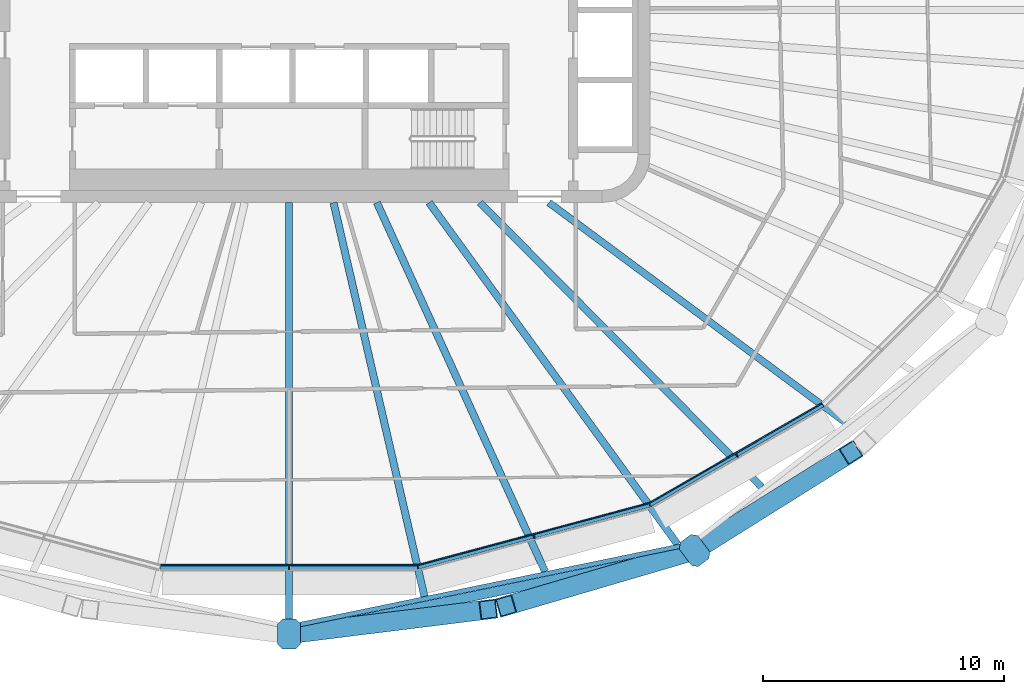
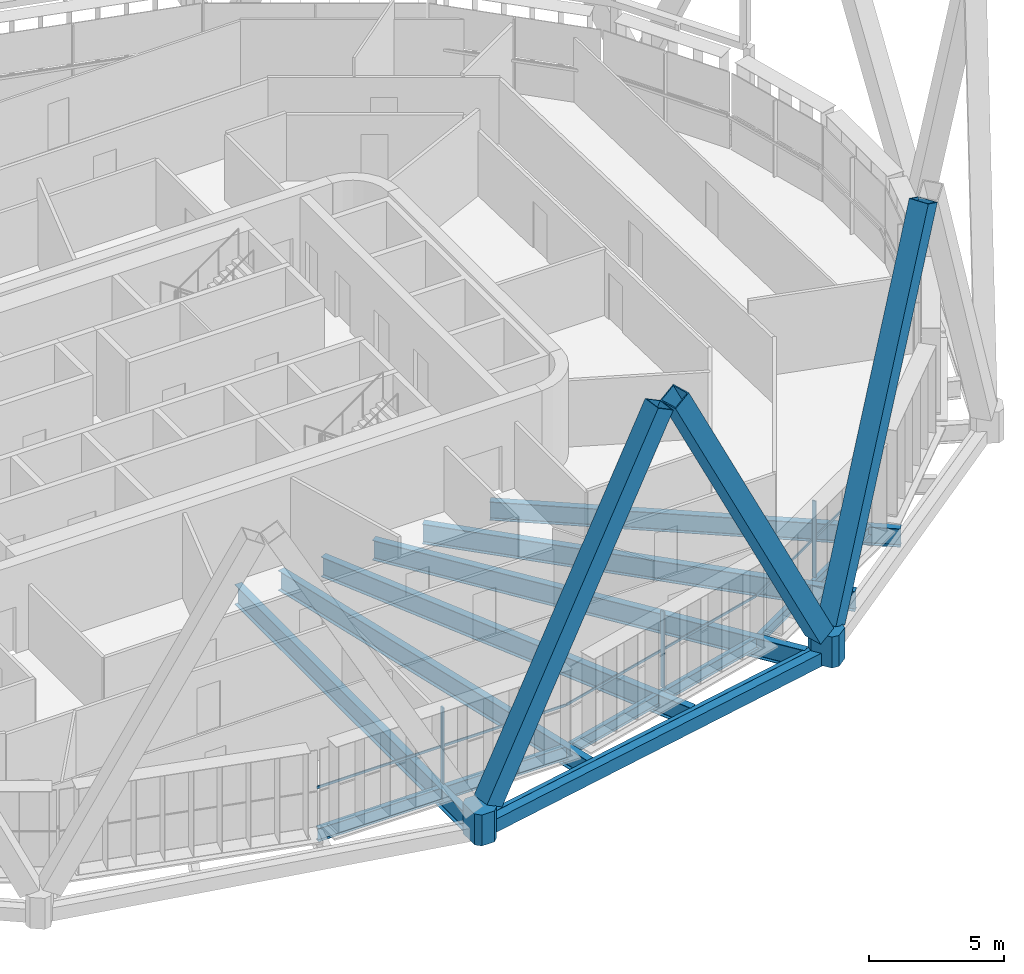
# One storey, part 3 of 25: 11 beams, 11 members, 3 elements without a shape of their own.
"""IFC4 building model written with IfcOpenShell, lengths in metres."""

import ifcopenshell
import ifcopenshell.guid

model = None  # the IFC model being written
_history = None  # IfcOwnerHistory: only IFC2X3 demands one
_inside = {}  # id of a spatial element -> (the spatial element, [elements in it])
_under = {}  # id of a project, library or spatial element -> (it, [spatial elements below it])
_declared = {}  # id of a project -> (the project, [libraries it declares])
_typed = {}  # id of a type object -> (the type object, [elements of that type])
_made_of = {}  # id of a material, layer set ... -> (it, [elements and type objects made of it])


def new_model(schema):
    """Start an empty IFC model of exactly this schema.

    Asked for "IFC4X3", IfcOpenShell would pick the latest addendum, in which some entities
    have other attributes; the version numbers below select the first issue.
    IFC2X3 requires an IfcOwnerHistory on every rooted entity: one is made here for all.
    """
    global model, _history
    if schema == "IFC4X3":
        model = ifcopenshell.file(schema_version=(4, 3, 0, 0))
    else:
        model = ifcopenshell.file(schema=schema)
    _inside.clear()
    _under.clear()
    _declared.clear()
    _typed.clear()
    _made_of.clear()
    _history = None
    if model.schema == "IFC2X3":
        org = make("IfcOrganization", Name="unknown")
        user = make(
            "IfcPersonAndOrganization",
            ThePerson=make("IfcPerson", FamilyName="unknown"),
            TheOrganization=org,
        )
        app = make(
            "IfcApplication",
            ApplicationDeveloper=org,
            Version="unknown",
            ApplicationFullName="unknown",
            ApplicationIdentifier="unknown",
        )
        _history = make(
            "IfcOwnerHistory",
            OwningUser=user,
            OwningApplication=app,
            ChangeAction="ADDED",
            CreationDate=0,
        )
    return model


def make(cls, **values):
    """One entity of the class cls with the attributes given. An attribute that is None is left unset."""
    return model.create_entity(
        cls, **{name: value for name, value in values.items() if value is not None}
    )


def rooted(cls, **values):
    """An entity with a GlobalId (a new one), such as an element, a storey or a relation."""
    return make(cls, GlobalId=ifcopenshell.guid.new(), OwnerHistory=_history, **values)


def si_unit(unit_type, name, prefix=None):
    """IfcSIUnit, for example si_unit("LENGTHUNIT", "METRE", prefix="MILLI")."""
    return make("IfcSIUnit", UnitType=unit_type, Prefix=prefix, Name=name)


def assignment(units):
    """IfcUnitAssignment: the units of a project."""
    return None if units is None else make("IfcUnitAssignment", Units=units)


def point(xyz):
    """IfcCartesianPoint."""
    return None if xyz is None else make("IfcCartesianPoint", Coordinates=xyz)


def direction(xyz):
    """IfcDirection."""
    return None if xyz is None else make("IfcDirection", DirectionRatios=xyz)


def frame(location, z_axis=None, x_axis=None):
    """IfcAxis2Placement3D, a coordinate frame: its origin and axes. An axis left out is left unset."""
    return make(
        "IfcAxis2Placement3D",
        Location=point(location),
        Axis=direction(z_axis),
        RefDirection=direction(x_axis),
    )


def frame_2d(location, x_axis=None):
    """IfcAxis2Placement2D, a coordinate frame in the plane: its origin and x axis."""
    return make(
        "IfcAxis2Placement2D", Location=point(location), RefDirection=direction(x_axis)
    )


def origin():
    """The frame at (0, 0, 0) with its axes left unset."""
    return frame((0.0, 0.0, 0.0))


def origin_2d():
    """The frame at (0, 0) in the plane with its x axis left unset."""
    return frame_2d((0.0, 0.0))


def place(relative_to, where):
    """IfcLocalPlacement: puts the frame where relative to a parent placement (None: the world)."""
    return make(
        "IfcLocalPlacement", PlacementRelTo=relative_to, RelativePlacement=where
    )


def context(
    kind, dimensions, precision=None, world=None, true_north=None, identifier=None
):
    """IfcGeometricRepresentationContext, for example the 3D "Model" context."""
    return make(
        "IfcGeometricRepresentationContext",
        ContextIdentifier=identifier,
        ContextType=kind,
        CoordinateSpaceDimension=dimensions,
        Precision=precision,
        WorldCoordinateSystem=world,
        TrueNorth=true_north,
    )


def subcontext(parent, identifier, kind, view, scale=None):
    """IfcGeometricRepresentationSubContext, for example "Body" below "Model"."""
    return make(
        "IfcGeometricRepresentationSubContext",
        ContextIdentifier=identifier,
        ContextType=kind,
        ParentContext=parent,
        TargetScale=scale,
        TargetView=view,
    )


def project(units=None, contexts=None):
    """IfcProject with its units and contexts."""
    return rooted(
        "IfcProject",
        Name="project",
        RepresentationContexts=contexts,
        UnitsInContext=assignment(units),
    )


def spatial(cls, under=None, at=None, **own):
    """A site, building, storey or space (cls), placed at a placement, below another one or the project."""
    s = rooted(cls, ObjectPlacement=at, **own)
    if under is not None:
        _under.setdefault(under.id(), (under, []))[1].append(s)
    return s


def polyline(points):
    """IfcPolyline through the points."""
    return make("IfcPolyline", Points=[point(p) for p in points])


def profile(cls, at=None, kind="AREA", **sizes):
    """A parametric profile (cls). Its sizes go by their IFC names, for example OverallWidth=200.0."""
    return make(cls, ProfileType=kind, Position=at, **sizes)


def rectangle(**sizes):
    """IfcRectangleProfileDef."""
    return profile("IfcRectangleProfileDef", **sizes)


def hollow_rectangle(**sizes):
    """IfcRectangleHollowProfileDef."""
    return profile("IfcRectangleHollowProfileDef", **sizes)


def i_section(**sizes):
    """IfcIShapeProfileDef."""
    return profile("IfcIShapeProfileDef", **sizes)


def outline(outer, holes=None, kind="AREA"):
    """IfcArbitraryClosedProfileDef: a profile drawn as a closed curve; with holes, ...WithVoids."""
    if holes is None:
        return make("IfcArbitraryClosedProfileDef", ProfileType=kind, OuterCurve=outer)
    return make(
        "IfcArbitraryProfileDefWithVoids",
        ProfileType=kind,
        OuterCurve=outer,
        InnerCurves=holes,
    )


def extrude(swept, where, along, depth):
    """IfcExtrudedAreaSolid: the profile swept, set in the frame where, extruded along a direction by depth."""
    return make(
        "IfcExtrudedAreaSolid",
        SweptArea=swept,
        Position=where,
        ExtrudedDirection=direction(along),
        Depth=depth,
    )


def shape(context_of_items, identifier, shape_type, items):
    """IfcShapeRepresentation: the items that make up one representation, for example the "Body"."""
    return make(
        "IfcShapeRepresentation",
        ContextOfItems=context_of_items,
        RepresentationIdentifier=identifier,
        RepresentationType=shape_type,
        Items=items,
    )


def material(Name=None, Category=None):
    """IfcMaterial."""
    return make("IfcMaterial", Name=Name, Category=Category)


def layer(
    of_material, thickness, ventilated=None, Name=None, Category=None, Priority=None
):
    """IfcMaterialLayer: one layer of a wall or slab, of a material (None: an air gap)."""
    return make(
        "IfcMaterialLayer",
        Material=of_material,
        LayerThickness=thickness,
        IsVentilated=ventilated,
        Name=Name,
        Category=Category,
        Priority=Priority,
    )


def layer_set(layers, Name=None):
    """IfcMaterialLayerSet."""
    return make("IfcMaterialLayerSet", MaterialLayers=layers, LayerSetName=Name)


def material_profile(
    of_material, cross_section, Name=None, Category=None, Priority=None
):
    """IfcMaterialProfile: a cross section and its material."""
    return make(
        "IfcMaterialProfile",
        Name=Name,
        Material=of_material,
        Profile=cross_section,
        Priority=Priority,
        Category=Category,
    )


def profile_set(profiles, Name=None, composite=None):
    """IfcMaterialProfileSet."""
    return make(
        "IfcMaterialProfileSet",
        Name=Name,
        MaterialProfiles=profiles,
        CompositeProfile=composite,
    )


def made_of(thing, what):
    """Note that an element or type object is made of a material, layer set ...; save() writes the relation."""
    if what is not None:
        _made_of.setdefault(what.id(), (what, []))[1].append(thing)
    return thing


def type_object(cls, material=None, **own):
    """A type object (cls), such as IfcWallType, which elements share."""
    return made_of(rooted(cls, **own), material)


def element(
    cls,
    number,
    at=None,
    inside=None,
    cuts=None,
    type_object=None,
    material=None,
    context=None,
    identifier="Body",
    shape_type=None,
    held_by="IfcProductDefinitionShape",
    body=None,
    shapes=None,
    **own,
):
    """One element of the class cls, such as IfcWall. Its Tag is "e" and its number.

    at: its placement. inside: the storey or other place that contains it. cuts: it is an
    opening in that element (IfcRelVoidsElement). A single representation is given by context,
    identifier, shape_type and body (its items); several are given by shapes. held_by: the class
    of the entity that holds the representations. save() writes the other relations.
    """
    e = rooted(cls, Tag="e%d" % number, ObjectPlacement=at, **own)
    if body is not None:
        shapes = [shape(context, identifier, shape_type, body)]
    if shapes is not None:
        e.Representation = make(held_by, Representations=shapes)
    if inside is not None:
        _inside.setdefault(inside.id(), (inside, []))[1].append(e)
    if cuts is not None:
        rooted(
            "IfcRelVoidsElement", RelatingBuildingElement=cuts, RelatedOpeningElement=e
        )
    if type_object is not None:
        _typed.setdefault(type_object.id(), (type_object, []))[1].append(e)
    return made_of(e, material)


def aggregate(whole, parts):
    """IfcRelAggregates: a whole, such as a stair, and the parts it consists of."""
    return rooted("IfcRelAggregates", RelatingObject=whole, RelatedObjects=parts)


def save(model, path):
    """Write the relations noted so far, then the file.

    IfcRelAggregates (storeys below a building ...), IfcRelContainedInSpatialStructure (elements
    in a storey), IfcRelDefinesByType, IfcRelAssociatesMaterial and IfcRelDeclares: one each for
    every whole, place, type object, material and project.
    """
    for whole, parts in _under.values():
        aggregate(whole, parts)
    for where, things in _inside.values():
        rooted(
            "IfcRelContainedInSpatialStructure",
            RelatedElements=things,
            RelatingStructure=where,
        )
    for kind, things in _typed.values():
        rooted("IfcRelDefinesByType", RelatedObjects=things, RelatingType=kind)
    for what, things in _made_of.values():
        rooted("IfcRelAssociatesMaterial", RelatedObjects=things, RelatingMaterial=what)
    for by, libraries in _declared.values():
        rooted("IfcRelDeclares", RelatingContext=by, RelatedDefinitions=libraries)
    model.write(path)


model = new_model("IFC4")

# Units and contexts
model_context = context("Model", 3, precision=1e-05, world=origin(), true_north=direction((0.0, 1.0)))
body_context = subcontext(model_context, "Body", "Model", "MODEL_VIEW")
ifc_project = project(units=[si_unit("LENGTHUNIT", "METRE"), si_unit("AREAUNIT", "SQUARE_METRE"), si_unit("VOLUMEUNIT", "CUBIC_METRE"), si_unit("PLANEANGLEUNIT", "RADIAN"), si_unit("MASSUNIT", "GRAM", prefix="KILO")], contexts=[model_context])

# Site, building, storey
site_placement = place(None, origin())
site = spatial("IfcSite", under=ifc_project, at=site_placement, CompositionType="ELEMENT")
building_placement = place(site_placement, origin())
building = spatial("IfcBuilding", under=site, at=building_placement, Name="Sahrelin Media Tower", CompositionType="ELEMENT")
storey_placement = place(building_placement, frame((0.0, 0.0, 181.60009765625)))
storey = spatial("IfcBuildingStorey", under=building, at=storey_placement, Name="L38", CompositionType="ELEMENT", Elevation=181.60009765625)

# Members
ifc_material_1 = material(Name="Steel S460", Category="steel")
ifc_material_profile_1 = material_profile(ifc_material_1, hollow_rectangle(XDim=0.800048828125, YDim=0.800048828125, WallThickness=0.044921875, at=origin_2d()), Name="Diagrid diagonal DG5")
ifc_profile_set_1 = profile_set([ifc_material_profile_1], Name="Steel S460")
member_type_1 = type_object("IfcMemberType", Name="Diagrid diagonal DG5", PredefinedType="BRACE", material=ifc_profile_set_1)
member_1_placement = place(storey_placement, frame((0.37841796875, -25.877685546875, 0.699951171875), z_axis=(0.474830701165, 0.058852752274, 0.878107145387), x_axis=(-0.123003500545, 0.992406236807, 0.0)))
element("IfcMember", 1, at=member_1_placement, inside=storey, type_object=member_type_1, Name="Diagrid diagonal D08-18", PredefinedType="BRACE", context=body_context, shape_type="SweptSolid", body=[
    extrude(hollow_rectangle(XDim=0.800048828125, YDim=0.800048828125, WallThickness=0.044921875, at=origin_2d()), origin(), (0.0, 0.0, 1.0), 16.62646484375),
])
member_2_placement = place(storey_placement, frame((16.482666015625, -22.556396484375, 0.699951171875), z_axis=(-0.451607462442, -0.132407389178, 0.882337227571), x_axis=(0.281348087818, -0.959605780246, 0.0)))
element("IfcMember", 2, at=member_2_placement, inside=storey, type_object=member_type_1, Name="Diagrid diagonal D08-19", PredefinedType="BRACE", context=body_context, shape_type="SweptSolid", body=[
    extrude(hollow_rectangle(XDim=0.800048828125, YDim=0.800048828125, WallThickness=0.044921875, at=origin_2d()), origin(), (0.0, 0.0, 1.0), 16.546875),
])
member_3_placement = place(storey_placement, frame((17.13818359375, -22.26513671875, 0.699951171875), z_axis=(0.379712357752, 0.237933145117, 0.893983413619), x_axis=(-0.530982186475, 0.847382981683, 0.0)))
element("IfcMember", 3, at=member_3_placement, inside=storey, type_object=member_type_1, Name="Diagrid diagonal D08-20", PredefinedType="BRACE", context=body_context, shape_type="SweptSolid", body=[
    extrude(hollow_rectangle(XDim=0.800048828125, YDim=0.800048828125, WallThickness=0.044921875, at=origin_2d()), origin(), (0.0, 0.0, 1.0), 16.331298828125),
])
ifc_material_profile_2 = material_profile(ifc_material_1, outline(polyline([(0.425048828125, -0.47509765625), (0.625, -0.27490234375), (0.625, 0.27490234375), (0.425048828125, 0.47509765625), (-0.425048828125, 0.47509765625), (-0.625, 0.27490234375), (-0.625, -0.27490234375), (-0.425048828125, -0.47509765625), (0.425048828125, -0.47509765625)])), Name="Diagrid node block 1250")
ifc_profile_set_2 = profile_set([ifc_material_profile_2], Name="Steel S460")
member_type_2 = type_object("IfcMemberType", Name="Diagrid node block 1250", PredefinedType="USERDEFINED", material=ifc_profile_set_2)
for number, where, z_axis, x_axis, name in (
    (4, (0.0, -25.9248046875, -0.7001953125), (0.0, 0.0, 1.0), (0.0, -1.0, 0.0), "Diagrid node N08-09"),
    (5, (16.8408203125, -22.451416015625, -0.7001953125), (0.0, 0.0, 1.0), (0.600051693363, -0.799961227368, 0.0), "Diagrid node N08-10"),
):
    element("IfcMember", number, at=place(storey_placement, frame(where, z_axis=z_axis, x_axis=x_axis)), inside=storey, type_object=member_type_2, Name=name, ObjectType="NODE", PredefinedType="USERDEFINED", context=body_context, shape_type="SweptSolid", body=[
        extrude(outline(polyline([(0.425048828125, -0.47509765625), (0.625, -0.27490234375), (0.625, 0.27490234375), (0.425048828125, 0.47509765625), (-0.425048828125, 0.47509765625), (-0.625, 0.27490234375), (-0.625, -0.27490234375), (-0.425048828125, -0.47509765625), (0.425048828125, -0.47509765625)])), origin(), (0.0, 0.0, 1.0), 1.400146484375),
    ])

# Beams
ifc_material_profile_3 = material_profile(ifc_material_1, hollow_rectangle(XDim=0.39990234375, YDim=0.60009765625, WallThickness=0.030029296875, at=origin_2d()), Name="Diagrid ring beam RB1")
ifc_profile_set_3 = profile_set([ifc_material_profile_3], Name="Steel S460")
beam_type_1 = type_object("IfcBeamType", Name="Diagrid ring beam RB1", PredefinedType="BEAM", material=ifc_profile_set_3)
beam_1_placement = place(storey_placement, frame((0.0, -25.9248046875, -0.4501953125), z_axis=(0.979386216223, 0.201996632331, 0.0), x_axis=(-0.201996632331, 0.979386216223, 0.0)))
element("IfcBeam", 6, at=beam_1_placement, inside=storey, type_object=beam_type_1, Name="Diagrid ring beam RB08-09", PredefinedType="BEAM", context=body_context, shape_type="SweptSolid", body=[
    extrude(hollow_rectangle(XDim=0.39990234375, YDim=0.60009765625, WallThickness=0.030029296875, at=origin_2d()), origin(), (0.0, 0.0, 1.0), 17.1953125),
])
ifc_material_2 = material(Name="Steel S355", Category="steel")
ifc_material_profile_4 = material_profile(ifc_material_2, i_section(OverallWidth=0.1904296875, OverallDepth=0.45703125, WebThickness=0.009033203125, FlangeThickness=0.014404296875, FilletRadius=0.01025390625, at=origin_2d()), Name="UB 457x191x74")
ifc_profile_set_4 = profile_set([ifc_material_profile_4], Name="Steel S355")
beam_type_2 = type_object("IfcBeamType", Name="Edge beam EB5", PredefinedType="BEAM", material=ifc_profile_set_4)
beam_2_placement = place(storey_placement, frame((22.162841796875, -16.396484375, -0.378662109375), z_axis=(-0.866021116422, -0.500007425856, 0.0), x_axis=(0.500007425856, -0.866021116422, 0.0)))
element("IfcBeam", 7, at=beam_2_placement, inside=storey, type_object=beam_type_2, Name="Edge beam L38-05", PredefinedType="BEAM", context=body_context, shape_type="SweptSolid", body=[
    extrude(i_section(OverallWidth=0.1904296875, OverallDepth=0.45703125, WebThickness=0.009033203125, FlangeThickness=0.014404296875, FilletRadius=0.01025390625, at=origin_2d()), origin(), (0.0, 0.0, 1.0), 8.281005859375),
])
ifc_material_profile_5 = material_profile(ifc_material_2, i_section(OverallWidth=0.208740234375, OverallDepth=0.5283203125, WebThickness=0.009521484375, FlangeThickness=0.01318359375, FilletRadius=0.0126953125, at=origin_2d()), Name="UB 533x210x82")
ifc_profile_set_5 = profile_set([ifc_material_profile_5], Name="Steel S355")
beam_type_3 = type_object("IfcBeamType", Name="Edge beam EB6", PredefinedType="BEAM", material=ifc_profile_set_5)
beam_3_placement = place(storey_placement, frame((14.964599609375, -20.548095703125, -0.414306640625), z_axis=(-0.965925570778, -0.258819998681, 0.0), x_axis=(0.258819998681, -0.965925570778, 0.0)))
element("IfcBeam", 8, at=beam_3_placement, inside=storey, type_object=beam_type_3, Name="Edge beam L38-06", PredefinedType="BEAM", context=body_context, shape_type="SweptSolid", body=[
    extrude(i_section(OverallWidth=0.208740234375, OverallDepth=0.5283203125, WebThickness=0.009521484375, FlangeThickness=0.01318359375, FilletRadius=0.0126953125, at=origin_2d()), origin(), (0.0, 0.0, 1.0), 9.9375),
])
ifc_material_profile_6 = material_profile(ifc_material_2, i_section(OverallWidth=0.2275390625, OverallDepth=0.6025390625, WebThickness=0.010498046875, FlangeThickness=0.014892578125, FilletRadius=0.0126953125, at=origin_2d()), Name="UB 610x229x101")
ifc_profile_set_6 = profile_set([ifc_material_profile_6], Name="Steel S355")
beam_type_4 = type_object("IfcBeamType", Name="Edge beam EB7", PredefinedType="BEAM", material=ifc_profile_set_6)
beam_4_placement = place(storey_placement, frame((5.337158203125, -23.123779296875, -0.451416015625), z_axis=(-1.0, 0.0, 0.0), x_axis=(0.0, -1.0, 0.0)))
element("IfcBeam", 9, at=beam_4_placement, inside=storey, type_object=beam_type_4, Name="Edge beam L38-07", PredefinedType="BEAM", context=body_context, shape_type="SweptSolid", body=[
    extrude(i_section(OverallWidth=0.2275390625, OverallDepth=0.6025390625, WebThickness=0.010498046875, FlangeThickness=0.014892578125, FilletRadius=0.0126953125, at=origin_2d()), origin(), (0.0, 0.0, 1.0), 10.67431640625),
])

# Curtain wall, member
ifc_material_3 = material(Name="Champagne anodised aluminium 6063-T6", Category="aluminium")
ifc_layer = layer(ifc_material_3, 0.14990234375)
ifc_layer_set = layer_set([ifc_layer], Name="Tower ribbon curtain wall")
curtain_wall_type = type_object("IfcCurtainWallType", Name="Tower ribbon curtain wall", PredefinedType="NOTDEFINED", material=ifc_layer_set)
curtain_wall_1_placement = place(storey_placement, frame((0.0, -23.273681640625, 0.0), z_axis=(0.0, 0.0, 1.0), x_axis=(1.0, 0.0, 0.0)))
curtain_wall_1 = element("IfcCurtainWall", 10, at=curtain_wall_1_placement, inside=storey, type_object=curtain_wall_type, Name="L38:CW:L38-18", PredefinedType="NOTDEFINED")
ifc_material_profile_7 = material_profile(ifc_material_3, rectangle(XDim=0.06005859375, YDim=0.175048828125, at=origin_2d()), Name="Mullion 60x175")
ifc_profile_set_7 = profile_set([ifc_material_profile_7], Name="Champagne anodised aluminium 6063-T6")
member_type_3 = type_object("IfcMemberType", Name="Mullion 60x175 CW1B", PredefinedType="MULLION", material=ifc_profile_set_7)
member_4_placement = place(storey_placement, frame((0.0, -23.166259765625, 0.0), z_axis=(0.0, 0.0, 1.0), x_axis=(1.0, 0.0, 0.0)))
member_4 = element("IfcMember", 11, at=member_4_placement, type_object=member_type_3, Name="L38:CWM:L38-18", PredefinedType="MULLION", context=body_context, shape_type="SweptSolid", body=[
    extrude(rectangle(XDim=0.06005859375, YDim=0.175048828125, at=origin_2d()), origin(), (0.0, 0.0, 1.0), 3.448486328125),
])

curtain_wall_2_placement = place(storey_placement, frame((10.2041015625, -21.97900390625, 0.0), z_axis=(0.0, 0.0, 1.0), x_axis=(1.0, 0.0, 0.0)))
curtain_wall_2 = element("IfcCurtainWall", 12, at=curtain_wall_2_placement, inside=storey, type_object=curtain_wall_type, Name="L38:CW:L38-19", PredefinedType="NOTDEFINED")
member_5_placement = place(storey_placement, frame((10.176025390625, -21.875, 0.0), z_axis=(0.0, 0.0, 1.0), x_axis=(0.965927181449, 0.258813987523, 0.0)))
member_5 = element("IfcMember", 13, at=member_5_placement, type_object=member_type_3, Name="L38:CWM:L38-19", PredefinedType="MULLION", context=body_context, shape_type="SweptSolid", body=[
    extrude(rectangle(XDim=0.06005859375, YDim=0.175048828125, at=origin_2d()), origin(), (0.0, 0.0, 1.0), 3.448486328125),
])

curtain_wall_3_placement = place(storey_placement, frame((18.652099609375, -18.5966796875, 0.0), z_axis=(0.0, 0.0, 1.0), x_axis=(1.0, 0.0, 0.0)))
curtain_wall_3 = element("IfcCurtainWall", 14, at=curtain_wall_3_placement, inside=storey, type_object=curtain_wall_type, Name="L38:CW:L38-20", PredefinedType="NOTDEFINED")
member_6_placement = place(storey_placement, frame((18.59814453125, -18.503662109375, 0.0), z_axis=(0.0, 0.0, 1.0), x_axis=(0.866021040428, 0.500007557478, 0.0)))
member_6 = element("IfcMember", 15, at=member_6_placement, type_object=member_type_3, Name="L38:CWM:L38-20", PredefinedType="MULLION", context=body_context, shape_type="SweptSolid", body=[
    extrude(rectangle(XDim=0.06005859375, YDim=0.175048828125, at=origin_2d()), origin(), (0.0, 0.0, 1.0), 3.448486328125),
])

# Beams
ifc_material_profile_8 = material_profile(ifc_material_2, i_section(OverallWidth=0.291748046875, OverallDepth=0.8349609375, WebThickness=0.013916015625, FlangeThickness=0.018798828125, FilletRadius=0.017822265625, at=origin_2d()), Name="UB 838x292x176")
ifc_profile_set_8 = profile_set([ifc_material_profile_8], Name="Steel S355")
beam_type_5 = type_object("IfcBeamType", Name="Radial primary beam PB10", PredefinedType="BEAM", material=ifc_profile_set_8)
beam_5_placement = place(storey_placement, frame((10.790283203125, -8.0, -0.567626953125), z_axis=(0.803305203739, -0.595567586128, 0.0), x_axis=(0.595567586128, 0.803305203739, 0.0)))
element("IfcBeam", 16, at=beam_5_placement, inside=storey, type_object=beam_type_5, Name="Radial beam L38-21", PredefinedType="BEAM", context=body_context, shape_type="SweptSolid", body=[
    extrude(i_section(OverallWidth=0.291748046875, OverallDepth=0.8349609375, WebThickness=0.013916015625, FlangeThickness=0.018798828125, FilletRadius=0.017822265625, at=origin_2d()), origin(), (0.0, 0.0, 1.0), 15.3310546875),
])
ifc_material_profile_9 = material_profile(ifc_material_2, i_section(OverallWidth=0.30322265625, OverallDepth=0.903076171875, WebThickness=0.01513671875, FlangeThickness=0.020263671875, FilletRadius=0.01904296875, at=origin_2d()), Name="UB 914x305x201")
ifc_profile_set_9 = profile_set([ifc_material_profile_9], Name="Steel S355")
beam_type_6 = type_object("IfcBeamType", Name="Radial primary beam PB11", PredefinedType="BEAM", material=ifc_profile_set_9)
beam_6_placement = place(storey_placement, frame((1.84619140625, -8.0, -0.6015625), z_axis=(0.224883929882, -0.974385559253, 0.0), x_axis=(0.974385559253, 0.224883929882, 0.0)))
element("IfcBeam", 17, at=beam_6_placement, inside=storey, type_object=beam_type_6, Name="Radial beam L38-19", PredefinedType="BEAM", context=body_context, shape_type="SweptSolid", body=[
    extrude(i_section(OverallWidth=0.30322265625, OverallDepth=0.903076171875, WebThickness=0.01513671875, FlangeThickness=0.020263671875, FilletRadius=0.01904296875, at=origin_2d()), origin(), (0.0, 0.0, 1.0), 16.79150390625),
])
beam_7_placement = place(storey_placement, frame((5.815673828125, -8.0, -0.6015625), z_axis=(0.588003751715, -0.808858200162, 0.0), x_axis=(0.808858200162, 0.588003751715, 0.0)))
element("IfcBeam", 18, at=beam_7_placement, inside=storey, type_object=beam_type_6, Name="Radial beam L38-20", PredefinedType="BEAM", context=body_context, shape_type="SweptSolid", body=[
    extrude(i_section(OverallWidth=0.30322265625, OverallDepth=0.903076171875, WebThickness=0.01513671875, FlangeThickness=0.020263671875, FilletRadius=0.01904296875, at=origin_2d()), origin(), (0.0, 0.0, 1.0), 17.547607421875),
])
ifc_material_profile_10 = material_profile(ifc_material_2, i_section(OverallWidth=0.30322265625, OverallDepth=0.903076171875, WebThickness=0.01513671875, FlangeThickness=0.020263671875, FilletRadius=0.01904296875, at=origin_2d()), Name="UB 914x305x201")
ifc_profile_set_10 = profile_set([ifc_material_profile_10], Name="Steel S355")
beam_type_7 = type_object("IfcBeamType", Name="Radial secondary beam SB11", PredefinedType="BEAM", material=ifc_profile_set_10)
beam_8_placement = place(storey_placement, frame((0.0, -8.0, -0.6015625), z_axis=(0.0, -1.0, 0.0), x_axis=(1.0, 0.0, 0.0)))
element("IfcBeam", 19, at=beam_8_placement, inside=storey, type_object=beam_type_7, Name="Secondary beam L38-18", PredefinedType="BEAM", context=body_context, shape_type="SweptSolid", body=[
    extrude(i_section(OverallWidth=0.30322265625, OverallDepth=0.903076171875, WebThickness=0.01513671875, FlangeThickness=0.020263671875, FilletRadius=0.01904296875, at=origin_2d()), origin(), (0.0, 0.0, 1.0), 17.52099609375),
])
beam_9_placement = place(storey_placement, frame((3.646728515625, -8.0, -0.6015625), z_axis=(0.414778908088, -0.90992222602, 0.0), x_axis=(0.90992222602, 0.414778908088, 0.0)))
element("IfcBeam", 20, at=beam_9_placement, inside=storey, type_object=beam_type_7, Name="Secondary beam L38-19", PredefinedType="BEAM", context=body_context, shape_type="SweptSolid", body=[
    extrude(i_section(OverallWidth=0.30322265625, OverallDepth=0.903076171875, WebThickness=0.01513671875, FlangeThickness=0.020263671875, FilletRadius=0.01904296875, at=origin_2d()), origin(), (0.0, 0.0, 1.0), 16.84521484375),
])
beam_10_placement = place(storey_placement, frame((7.92529296875, -8.0, -0.6015625), z_axis=(0.703779898359, -0.710418084416, 0.0), x_axis=(0.710418084416, 0.703779898359, 0.0)))
element("IfcBeam", 21, at=beam_10_placement, inside=storey, type_object=beam_type_7, Name="Secondary beam L38-20", PredefinedType="BEAM", context=body_context, shape_type="SweptSolid", body=[
    extrude(i_section(OverallWidth=0.30322265625, OverallDepth=0.903076171875, WebThickness=0.01513671875, FlangeThickness=0.020263671875, FilletRadius=0.01904296875, at=origin_2d()), origin(), (0.0, 0.0, 1.0), 16.623779296875),
])
ifc_material_profile_11 = material_profile(ifc_material_2, i_section(OverallWidth=0.1904296875, OverallDepth=0.45703125, WebThickness=0.009033203125, FlangeThickness=0.014404296875, FilletRadius=0.01025390625, at=origin_2d()), Name="UB 457x191x74")
ifc_profile_set_11 = profile_set([ifc_material_profile_11], Name="Steel S355")
beam_type_8 = type_object("IfcBeamType", Name="Tie chord TC5", PredefinedType="BEAM", material=ifc_profile_set_11)
beam_11_placement = place(storey_placement, frame((16.712646484375, -22.17138671875, -0.378662109375), z_axis=(-0.979388253216, -0.201986755663, 0.0), x_axis=(0.201986755663, -0.979388253216, 0.0)))
element("IfcBeam", 22, at=beam_11_placement, inside=storey, type_object=beam_type_8, Name="Tie chord L38-03", PredefinedType="BEAM", context=body_context, shape_type="SweptSolid", body=[
    extrude(i_section(OverallWidth=0.1904296875, OverallDepth=0.45703125, WebThickness=0.009033203125, FlangeThickness=0.014404296875, FilletRadius=0.01025390625, at=origin_2d()), origin(), (0.0, 0.0, 1.0), 17.064453125),
])

# Member
ifc_material_profile_12 = material_profile(ifc_material_3, rectangle(XDim=0.050048828125, YDim=0.110107421875, at=origin_2d()), Name="Transom 50x110")
ifc_profile_set_12 = profile_set([ifc_material_profile_12], Name="Champagne anodised aluminium 6063-T6")
member_type_4 = type_object("IfcMemberType", Name="Transom 50x110 CW1B", PredefinedType="USERDEFINED", material=ifc_profile_set_12)
member_7_placement = place(storey_placement, frame((-5.3212890625, -23.0537109375, 1.599853515625), z_axis=(1.0, 0.0, 0.0), x_axis=(0.0, 1.0, 0.0)))
member_7 = element("IfcMember", 23, at=member_7_placement, type_object=member_type_4, Name="L38:CWT:L38-18", ObjectType="TRANSOM", PredefinedType="USERDEFINED", context=body_context, shape_type="SweptSolid", body=[
    extrude(rectangle(XDim=0.050048828125, YDim=0.110107421875, at=origin_2d()), origin(), (0.0, 0.0, 1.0), 10.642578125),
])

aggregate(curtain_wall_1, [member_4, member_7])

member_8_placement = place(storey_placement, frame((5.36279296875, -23.04833984375, 1.599853515625), z_axis=(0.965930340572, 0.258802196983, 0.0), x_axis=(-0.258802196983, 0.965930340572, 0.0)))
member_8 = element("IfcMember", 24, at=member_8_placement, type_object=member_type_4, Name="L38:CWT:L38-19", ObjectType="TRANSOM", PredefinedType="USERDEFINED", context=body_context, shape_type="SweptSolid", body=[
    extrude(rectangle(XDim=0.050048828125, YDim=0.110107421875, at=origin_2d()), origin(), (0.0, 0.0, 1.0), 9.906005859375),
])

aggregate(curtain_wall_2, [member_5, member_8])

member_9_placement = place(storey_placement, frame((14.9697265625, -20.468505859375, 1.599853515625), z_axis=(0.866032814021, 0.499987164874, 0.0), x_axis=(-0.499987164874, 0.866032814021, 0.0)))
member_9 = element("IfcMember", 25, at=member_9_placement, type_object=member_type_4, Name="L38:CWT:L38-20", ObjectType="TRANSOM", PredefinedType="USERDEFINED", context=body_context, shape_type="SweptSolid", body=[
    extrude(rectangle(XDim=0.050048828125, YDim=0.110107421875, at=origin_2d()), origin(), (0.0, 0.0, 1.0), 8.249755859375),
])

aggregate(curtain_wall_3, [member_6, member_9])

save(model, "model.ifc")
